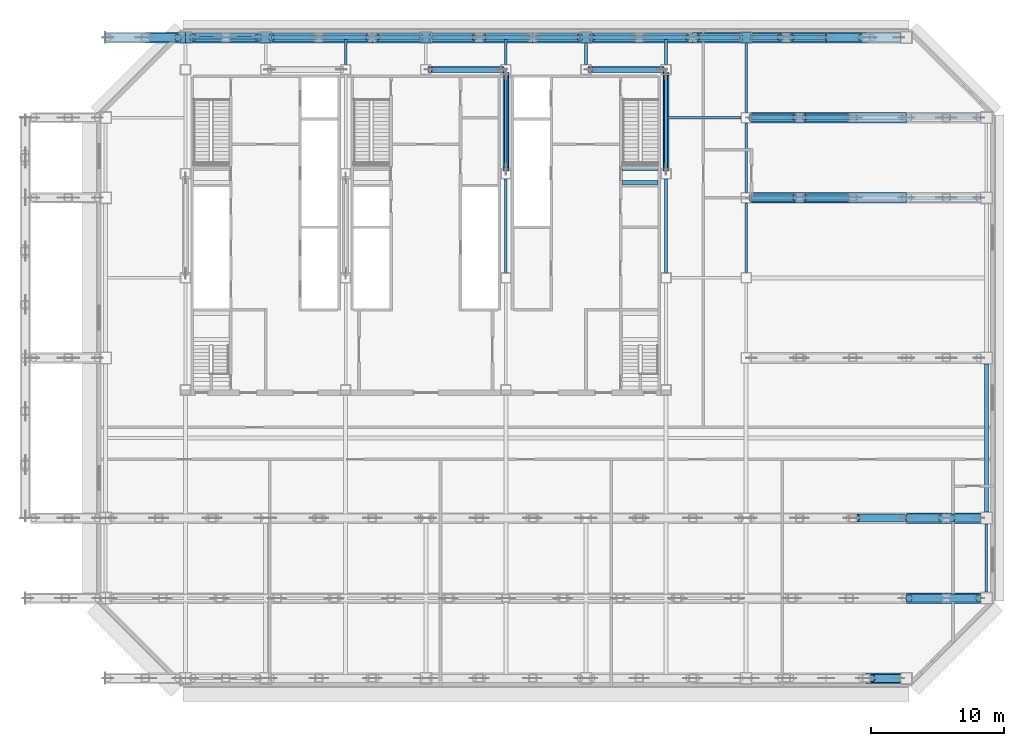
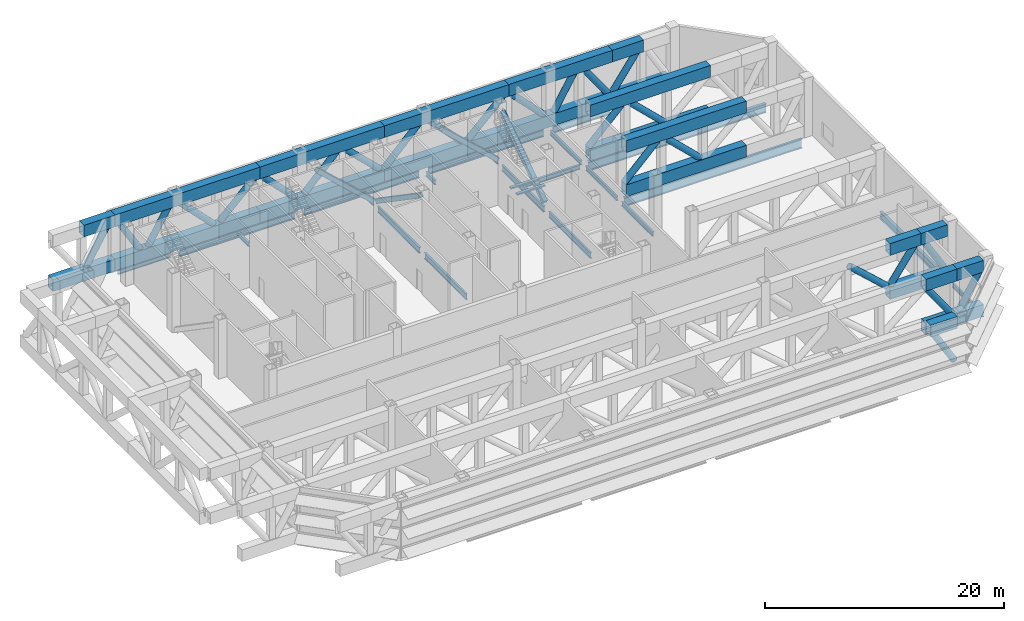
# One storey, part 4 of 17: 46 beams, 29 members.
"""IFC4 building model written with IfcOpenShell, lengths in metres."""

from ifc_helpers import new_model, si_unit, direction, frame, origin, origin_2d, place, context, subcontext, project, spatial, rectangle, hollow_rectangle, hollow_circle, i_section, extrude, material, material_profile, profile_set, type_object, element, save


model = new_model("IFC4")

# Units and contexts
model_context = context("Model", 3, precision=1e-05, world=origin(), true_north=direction((0.0, 1.0)))
body_context = subcontext(model_context, "Body", "Model", "MODEL_VIEW")
ifc_project = project(units=[si_unit("LENGTHUNIT", "METRE"), si_unit("AREAUNIT", "SQUARE_METRE"), si_unit("VOLUMEUNIT", "CUBIC_METRE"), si_unit("PLANEANGLEUNIT", "RADIAN"), si_unit("MASSUNIT", "GRAM", prefix="KILO")], contexts=[model_context])

# Site, building, storey
site_placement = place(None, origin())
site = spatial("IfcSite", under=ifc_project, at=site_placement, CompositionType="ELEMENT")
building_placement = place(site_placement, origin())
building = spatial("IfcBuilding", under=site, at=building_placement, Name="Sorahane Residences", CompositionType="ELEMENT")
storey_placement = place(building_placement, frame((0.0, 0.0, 90.199951171875)))
storey = spatial("IfcBuildingStorey", under=building, at=storey_placement, Name="L19", CompositionType="ELEMENT", Elevation=90.199951171875)

# Members
ifc_material_1 = material(Name="Steel Q355B", Category="steel")
ifc_material_profile_1 = material_profile(ifc_material_1, hollow_rectangle(XDim=0.449951171875, YDim=0.449951171875, WallThickness=0.02197265625, InnerFilletRadius=0.010986328125, OuterFilletRadius=0.032958984375, at=origin_2d()), Name="RHS 450x450x22")
ifc_profile_set_1 = profile_set([ifc_material_profile_1], Name="Steel Q355B")
member_type_1 = type_object("IfcMemberType", Name="Core brace RHS 450x450x22 Q355B", PredefinedType="BRACE", material=ifc_profile_set_1)
for number, where, z_axis, x_axis, name in (
    (1, (29.691650390625, 45.60009765625, 0.140625), (-0.734817498487, 0.0, 0.678264877402), (0.0, -1.0, 0.0), "Core brace L19 y45.6-4"),
    (2, (41.691650390625, 45.60009765625, 0.140625), (-0.734817498487, 0.0, 0.678264877402), (0.0, -1.0, 0.0), "Core brace L19 y45.6-6"),
):
    element("IfcMember", number, at=place(storey_placement, frame(where, z_axis=z_axis, x_axis=x_axis)), inside=storey, type_object=member_type_1, Name=name, PredefinedType="BRACE", context=body_context, shape_type="SweptSolid", body=[
        extrude(hollow_rectangle(XDim=0.449951171875, YDim=0.449951171875, WallThickness=0.02197265625, InnerFilletRadius=0.010986328125, OuterFilletRadius=0.032958984375, at=origin_2d()), origin(), (0.0, 0.0, 1.0), 7.325927734375),
    ])
for number, where, z_axis, x_axis, name in (
    (3, (42.0, 38.12353515625, 0.172607421875), (0.0, 0.824729602087, 0.565527261449), (-1.0, 0.0, 0.0), "Core brace L19 x42-3"),
    (4, (30.0, 45.2763671875, 0.172607421875), (0.0, -0.824729602087, 0.565527261449), (1.0, 0.0, 0.0), "Core brace L19 x30-2"),
):
    element("IfcMember", number, at=place(storey_placement, frame(where, z_axis=z_axis, x_axis=x_axis)), inside=storey, type_object=member_type_1, Name=name, PredefinedType="BRACE", context=body_context, shape_type="SweptSolid", body=[
        extrude(hollow_rectangle(XDim=0.449951171875, YDim=0.449951171875, WallThickness=0.02197265625, InnerFilletRadius=0.010986328125, OuterFilletRadius=0.032958984375, at=origin_2d()), origin(), (0.0, 0.0, 1.0), 8.6728515625),
    ])

# Beams
ifc_material_2 = material(Name="Concrete C40", Category="concrete")
ifc_material_profile_2 = material_profile(ifc_material_2, rectangle(XDim=0.300048828125, YDim=0.139892578125, at=origin_2d()), Name="300x140")
ifc_profile_set_2 = profile_set([ifc_material_profile_2], Name="Concrete C40")
beam_type_1 = type_object("IfcBeamType", Name="RC landing beam 300 x 140 Concrete C40", PredefinedType="BEAM", material=ifc_profile_set_2)
for number, where, z_axis, x_axis, name in (
    (5, (38.699951171875, 37.14990234375, 2.72998046875), (1.0, 0.0, 0.0), (0.0, 1.0, 0.0), "Landing beam"),
    (6, (38.699951171875, 38.18994140625, 2.72998046875), (1.0, 0.0, 0.0), (0.0, 1.0, 0.0), "Landing beam"),
):
    element("IfcBeam", number, at=place(storey_placement, frame(where, z_axis=z_axis, x_axis=x_axis)), inside=storey, type_object=beam_type_1, Name=name, PredefinedType="BEAM", context=body_context, shape_type="SweptSolid", body=[
        extrude(rectangle(XDim=0.300048828125, YDim=0.139892578125, at=origin_2d()), origin(), (0.0, 0.0, 1.0), 2.699951171875),
    ])
ifc_material_3 = material(Name="Steel Q355B", Category="steel")
ifc_material_profile_3 = material_profile(ifc_material_3, i_section(OverallWidth=0.199951171875, OverallDepth=0.449951171875, WebThickness=0.009033203125, FlangeThickness=0.013916015625, FilletRadius=0.02001953125, at=origin_2d()), Name="HN 450x200x9x14")
ifc_profile_set_3 = profile_set([ifc_material_profile_3], Name="Steel Q355B")
beam_type_2 = type_object("IfcBeamType", Name="Steel floor beam HN 450x200x9x14 Q355B", PredefinedType="BEAM", material=ifc_profile_set_3)
beam_1_placement = place(storey_placement, frame((6.449951171875, 48.0, -0.52490234375), z_axis=(1.0, 0.0, 0.0), x_axis=(0.0, 1.0, 0.0)))
element("IfcBeam", 7, at=beam_1_placement, inside=storey, type_object=beam_type_2, Name="Beam L19 012", PredefinedType="BEAM", context=body_context, shape_type="SweptSolid", body=[
    extrude(i_section(OverallWidth=0.199951171875, OverallDepth=0.449951171875, WebThickness=0.009033203125, FlangeThickness=0.013916015625, FilletRadius=0.02001953125, at=origin_2d()), origin(), (0.0, 0.0, 1.0), 5.10009765625),
])
for number, where, z_axis, x_axis, name in (
    (8, (18.0, 46.0, -0.52490234375), (0.0, 1.0, 0.0), (-1.0, 0.0, 0.0), "Beam L19 034"),
    (9, (30.0, 46.0, -0.52490234375), (0.0, 1.0, 0.0), (-1.0, 0.0, 0.0), "Beam L19 042"),
):
    element("IfcBeam", number, at=place(storey_placement, frame(where, z_axis=z_axis, x_axis=x_axis)), inside=storey, type_object=beam_type_2, Name=name, PredefinedType="BEAM", context=body_context, shape_type="SweptSolid", body=[
        extrude(i_section(OverallWidth=0.199951171875, OverallDepth=0.449951171875, WebThickness=0.009033203125, FlangeThickness=0.013916015625, FilletRadius=0.02001953125, at=origin_2d()), origin(), (0.0, 0.0, 1.0), 1.85009765625),
    ])
beam_2_placement = place(storey_placement, frame((36.0, 46.0, -0.52490234375), z_axis=(0.0, 1.0, 0.0), x_axis=(-1.0, 0.0, 0.0)))
element("IfcBeam", 10, at=beam_2_placement, inside=storey, type_object=beam_type_2, Name="Beam L19 044", PredefinedType="BEAM", context=body_context, shape_type="SweptSolid", body=[
    extrude(i_section(OverallWidth=0.199951171875, OverallDepth=0.449951171875, WebThickness=0.009033203125, FlangeThickness=0.013916015625, FilletRadius=0.02001953125, at=origin_2d()), origin(), (0.0, 0.0, 1.0), 1.550048828125),
])
beam_3_placement = place(storey_placement, frame((42.0, 46.0, -0.52490234375), z_axis=(0.0, 1.0, 0.0), x_axis=(-1.0, 0.0, 0.0)))
element("IfcBeam", 11, at=beam_3_placement, inside=storey, type_object=beam_type_2, Name="Beam L19 050", PredefinedType="BEAM", context=body_context, shape_type="SweptSolid", body=[
    extrude(i_section(OverallWidth=0.199951171875, OverallDepth=0.449951171875, WebThickness=0.009033203125, FlangeThickness=0.013916015625, FilletRadius=0.02001953125, at=origin_2d()), origin(), (0.0, 0.0, 1.0), 1.85009765625),
])
for number, where, z_axis, x_axis, name in (
    (12, (48.0, 30.39990234375, -0.52490234375), (0.0, 1.0, 0.0), (-1.0, 0.0, 0.0), "Beam L19 054"),
    (13, (48.0, 36.39990234375, -0.52490234375), (0.0, 1.0, 0.0), (-1.0, 0.0, 0.0), "Beam L19 055"),
):
    element("IfcBeam", number, at=place(storey_placement, frame(where, z_axis=z_axis, x_axis=x_axis)), inside=storey, type_object=beam_type_2, Name=name, PredefinedType="BEAM", context=body_context, shape_type="SweptSolid", body=[
        extrude(i_section(OverallWidth=0.199951171875, OverallDepth=0.449951171875, WebThickness=0.009033203125, FlangeThickness=0.013916015625, FilletRadius=0.02001953125, at=origin_2d()), origin(), (0.0, 0.0, 1.0), 5.2001953125),
    ])
beam_4_placement = place(storey_placement, frame((48.0, 42.39990234375, -0.52490234375), z_axis=(0.0, 1.0, 0.0), x_axis=(-1.0, 0.0, 0.0)))
element("IfcBeam", 14, at=beam_4_placement, inside=storey, type_object=beam_type_2, Name="Beam L19 056", PredefinedType="BEAM", context=body_context, shape_type="SweptSolid", body=[
    extrude(i_section(OverallWidth=0.199951171875, OverallDepth=0.449951171875, WebThickness=0.009033203125, FlangeThickness=0.013916015625, FilletRadius=0.02001953125, at=origin_2d()), origin(), (0.0, 0.0, 1.0), 5.150146484375),
])
beam_5_placement = place(storey_placement, frame((66.0, 6.449951171875, -0.52490234375), z_axis=(0.0, 1.0, 0.0), x_axis=(-1.0, 0.0, 0.0)))
element("IfcBeam", 15, at=beam_5_placement, inside=storey, type_object=beam_type_2, Name="Beam L19 057", PredefinedType="BEAM", context=body_context, shape_type="SweptSolid", body=[
    extrude(i_section(OverallWidth=0.199951171875, OverallDepth=0.449951171875, WebThickness=0.009033203125, FlangeThickness=0.013916015625, FilletRadius=0.02001953125, at=origin_2d()), origin(), (0.0, 0.0, 1.0), 5.10009765625),
])
beam_6_placement = place(storey_placement, frame((42.10009765625, 42.0, -0.52490234375), z_axis=(1.0, 0.0, 0.0), x_axis=(0.0, 1.0, 0.0)))
element("IfcBeam", 16, at=beam_6_placement, inside=storey, type_object=beam_type_2, Name="Beam L19 080", PredefinedType="BEAM", context=body_context, shape_type="SweptSolid", body=[
    extrude(i_section(OverallWidth=0.199951171875, OverallDepth=0.449951171875, WebThickness=0.009033203125, FlangeThickness=0.013916015625, FilletRadius=0.02001953125, at=origin_2d()), origin(), (0.0, 0.0, 1.0), 5.5),
])
ifc_material_4 = material(Name="Steel Q355B", Category="steel")
ifc_material_profile_4 = material_profile(ifc_material_4, i_section(OverallWidth=0.199951171875, OverallDepth=0.60009765625, WebThickness=0.010986328125, FlangeThickness=0.01708984375, FilletRadius=0.02392578125, at=origin_2d()), Name="HN 600x200x11x17")
ifc_profile_set_4 = profile_set([ifc_material_profile_4], Name="Steel Q355B")
beam_type_3 = type_object("IfcBeamType", Name="Steel floor beam HN 600x200x11x17 Q355B", PredefinedType="BEAM", material=ifc_profile_set_4)
for number, where, z_axis, x_axis, name in (
    (17, (30.0, 30.39990234375, -0.599853515625), (0.0, 1.0, 0.0), (-1.0, 0.0, 0.0), "Beam L19 040"),
    (18, (30.0, 38.199951171875, -0.599853515625), (0.0, 1.0, 0.0), (-1.0, 0.0, 0.0), "Beam L19 041"),
    (19, (42.0, 30.39990234375, -0.599853515625), (0.0, 1.0, 0.0), (-1.0, 0.0, 0.0), "Beam L19 048"),
    (20, (42.0, 38.199951171875, -0.599853515625), (0.0, 1.0, 0.0), (-1.0, 0.0, 0.0), "Beam L19 049"),
):
    element("IfcBeam", number, at=place(storey_placement, frame(where, z_axis=z_axis, x_axis=x_axis)), inside=storey, type_object=beam_type_3, Name=name, PredefinedType="BEAM", context=body_context, shape_type="SweptSolid", body=[
        extrude(i_section(OverallWidth=0.199951171875, OverallDepth=0.60009765625, WebThickness=0.010986328125, FlangeThickness=0.01708984375, FilletRadius=0.02392578125, at=origin_2d()), origin(), (0.0, 0.0, 1.0), 7.0),
    ])
ifc_material_5 = material(Name="Steel Q355B", Category="steel")
ifc_material_profile_5 = material_profile(ifc_material_5, i_section(OverallWidth=0.300048828125, OverallDepth=0.699951171875, WebThickness=0.012939453125, FlangeThickness=0.02392578125, FilletRadius=0.028076171875, at=origin_2d()), Name="HN 700x300x13x24")
ifc_profile_set_5 = profile_set([ifc_material_profile_5], Name="Steel Q355B")
beam_type_4 = type_object("IfcBeamType", Name="Steel floor beam HN 700x300x13x24 Q355B", PredefinedType="BEAM", material=ifc_profile_set_5)
for number, where, z_axis, x_axis, name in (
    (21, (12.449951171875, 48.0, -0.64990234375), (1.0, 0.0, 0.0), (0.0, 1.0, 0.0), "Beam L19 013"),
    (22, (24.449951171875, 48.0, -0.64990234375), (1.0, 0.0, 0.0), (0.0, 1.0, 0.0), "Beam L19 014"),
    (23, (36.449951171875, 48.0, -0.64990234375), (1.0, 0.0, 0.0), (0.0, 1.0, 0.0), "Beam L19 015"),
):
    element("IfcBeam", number, at=place(storey_placement, frame(where, z_axis=z_axis, x_axis=x_axis)), inside=storey, type_object=beam_type_4, Name=name, PredefinedType="BEAM", context=body_context, shape_type="SweptSolid", body=[
        extrude(i_section(OverallWidth=0.300048828125, OverallDepth=0.699951171875, WebThickness=0.012939453125, FlangeThickness=0.02392578125, FilletRadius=0.028076171875, at=origin_2d()), origin(), (0.0, 0.0, 1.0), 11.10009765625),
    ])
beam_7_placement = place(storey_placement, frame((48.449951171875, 48.0, -0.64990234375), z_axis=(1.0, 0.0, 0.0), x_axis=(0.0, 1.0, 0.0)))
element("IfcBeam", 24, at=beam_7_placement, inside=storey, type_object=beam_type_4, Name="Beam L19 016", PredefinedType="BEAM", context=body_context, shape_type="SweptSolid", body=[
    extrude(i_section(OverallWidth=0.300048828125, OverallDepth=0.699951171875, WebThickness=0.012939453125, FlangeThickness=0.02392578125, FilletRadius=0.028076171875, at=origin_2d()), origin(), (0.0, 0.0, 1.0), 5.550048828125),
])
beam_8_placement = place(storey_placement, frame((66.0, 12.449951171875, -0.64990234375), z_axis=(0.0, 1.0, 0.0), x_axis=(-1.0, 0.0, 0.0)))
element("IfcBeam", 25, at=beam_8_placement, inside=storey, type_object=beam_type_4, Name="Beam L19 058", PredefinedType="BEAM", context=body_context, shape_type="SweptSolid", body=[
    extrude(i_section(OverallWidth=0.300048828125, OverallDepth=0.699951171875, WebThickness=0.012939453125, FlangeThickness=0.02392578125, FilletRadius=0.028076171875, at=origin_2d()), origin(), (0.0, 0.0, 1.0), 11.10009765625),
])
ifc_material_6 = material(Name="Steel Q355B", Category="steel")
ifc_material_profile_6 = material_profile(ifc_material_6, i_section(OverallWidth=0.300048828125, OverallDepth=0.89990234375, WebThickness=0.01611328125, FlangeThickness=0.028076171875, FilletRadius=0.028076171875, at=origin_2d()), Name="HN 900x300x16x28")
ifc_profile_set_6 = profile_set([ifc_material_profile_6], Name="Steel Q355B")
beam_type_5 = type_object("IfcBeamType", Name="Steel floor beam HN 900x300x16x28 Q355B", PredefinedType="BEAM", material=ifc_profile_set_6)
for number, where, z_axis, x_axis, name in (
    (26, (48.39990234375, 36.0, -0.75), (1.0, 0.0, 0.0), (0.0, 1.0, 0.0), "Beam L19 011"),
    (27, (48.39990234375, 42.0, -0.75), (1.0, 0.0, 0.0), (0.0, 1.0, 0.0), "Beam L19 081"),
):
    element("IfcBeam", number, at=place(storey_placement, frame(where, z_axis=z_axis, x_axis=x_axis)), inside=storey, type_object=beam_type_5, Name=name, PredefinedType="BEAM", context=body_context, shape_type="SweptSolid", body=[
        extrude(i_section(OverallWidth=0.300048828125, OverallDepth=0.89990234375, WebThickness=0.01611328125, FlangeThickness=0.028076171875, FilletRadius=0.028076171875, at=origin_2d()), origin(), (0.0, 0.0, 1.0), 17.150146484375),
    ])
ifc_material_7 = material(Name="Steel Q420GJ", Category="steel")
ifc_material_profile_7 = material_profile(ifc_material_7, hollow_rectangle(XDim=0.800048828125, YDim=1.199951171875, WallThickness=0.06005859375, at=origin_2d()), Name="BOX 1200x800x60")
ifc_profile_set_7 = profile_set([ifc_material_profile_7], Name="Steel Q420GJ")
beam_type_6 = type_object("IfcBeamType", Name="Truss chord BOX 1200x800x60 Q420GJ", PredefinedType="BEAM", material=ifc_profile_set_7)
beam_9_placement = place(storey_placement, frame((57.0, 0.0, 5.10009765625), z_axis=(1.0, 0.0, 0.0), x_axis=(0.0, 1.0, 0.0)))
element("IfcBeam", 28, at=beam_9_placement, inside=storey, type_object=beam_type_6, Name="Truss chord L19", PredefinedType="BEAM", context=body_context, shape_type="SweptSolid", body=[
    extrude(hollow_rectangle(XDim=0.800048828125, YDim=1.199951171875, WallThickness=0.06005859375, at=origin_2d()), origin(), (0.0, 0.0, 1.0), 2.550048828125),
])
beam_10_placement = place(storey_placement, frame((60.0, 6.0, 0.60009765625), z_axis=(1.0, 0.0, 0.0), x_axis=(0.0, 1.0, 0.0)))
element("IfcBeam", 29, at=beam_10_placement, inside=storey, type_object=beam_type_6, Name="Truss chord L19", PredefinedType="BEAM", context=body_context, shape_type="SweptSolid", body=[
    extrude(hollow_rectangle(XDim=0.800048828125, YDim=1.199951171875, WallThickness=0.06005859375, at=origin_2d()), origin(), (0.0, 0.0, 1.0), 5.550048828125),
])
beam_11_placement = place(storey_placement, frame((60.0, 6.0, 5.10009765625), z_axis=(1.0, 0.0, 0.0), x_axis=(0.0, 1.0, 0.0)))
element("IfcBeam", 30, at=beam_11_placement, inside=storey, type_object=beam_type_6, Name="Truss chord L19", PredefinedType="BEAM", context=body_context, shape_type="SweptSolid", body=[
    extrude(hollow_rectangle(XDim=0.800048828125, YDim=1.199951171875, WallThickness=0.06005859375, at=origin_2d()), origin(), (0.0, 0.0, 1.0), 3.0),
])
beam_12_placement = place(storey_placement, frame((63.0, 6.0, 5.10009765625), z_axis=(1.0, 0.0, 0.0), x_axis=(0.0, 1.0, 0.0)))
element("IfcBeam", 31, at=beam_12_placement, inside=storey, type_object=beam_type_6, Name="Truss chord L19", PredefinedType="BEAM", context=body_context, shape_type="SweptSolid", body=[
    extrude(hollow_rectangle(XDim=0.800048828125, YDim=1.199951171875, WallThickness=0.06005859375, at=origin_2d()), origin(), (0.0, 0.0, 1.0), 2.550048828125),
])
beam_13_placement = place(storey_placement, frame((60.0, 12.0, 0.60009765625), z_axis=(1.0, 0.0, 0.0), x_axis=(0.0, 1.0, 0.0)))
element("IfcBeam", 32, at=beam_13_placement, inside=storey, type_object=beam_type_6, Name="Truss chord L19", PredefinedType="BEAM", context=body_context, shape_type="SweptSolid", body=[
    extrude(hollow_rectangle(XDim=0.800048828125, YDim=1.199951171875, WallThickness=0.06005859375, at=origin_2d()), origin(), (0.0, 0.0, 1.0), 5.550048828125),
])
beam_14_placement = place(storey_placement, frame((60.0, 12.0, 5.10009765625), z_axis=(1.0, 0.0, 0.0), x_axis=(0.0, 1.0, 0.0)))
element("IfcBeam", 33, at=beam_14_placement, inside=storey, type_object=beam_type_6, Name="Truss chord L19", PredefinedType="BEAM", context=body_context, shape_type="SweptSolid", body=[
    extrude(hollow_rectangle(XDim=0.800048828125, YDim=1.199951171875, WallThickness=0.06005859375, at=origin_2d()), origin(), (0.0, 0.0, 1.0), 3.0),
])
beam_15_placement = place(storey_placement, frame((63.0, 12.0, 5.10009765625), z_axis=(1.0, 0.0, 0.0), x_axis=(0.0, 1.0, 0.0)))
element("IfcBeam", 34, at=beam_15_placement, inside=storey, type_object=beam_type_6, Name="Truss chord L19", PredefinedType="BEAM", context=body_context, shape_type="SweptSolid", body=[
    extrude(hollow_rectangle(XDim=0.800048828125, YDim=1.199951171875, WallThickness=0.06005859375, at=origin_2d()), origin(), (0.0, 0.0, 1.0), 2.550048828125),
])
for number, where, z_axis, x_axis, name in (
    (35, (48.39990234375, 36.0, 0.60009765625), (1.0, 0.0, 0.0), (0.0, 1.0, 0.0), "Truss chord L19"),
    (36, (48.39990234375, 36.0, 5.10009765625), (1.0, 0.0, 0.0), (0.0, 1.0, 0.0), "Truss chord L19"),
    (37, (48.39990234375, 42.0, 0.60009765625), (1.0, 0.0, 0.0), (0.0, 1.0, 0.0), "Truss chord L19"),
    (38, (48.39990234375, 42.0, 5.10009765625), (1.0, 0.0, 0.0), (0.0, 1.0, 0.0), "Truss chord L19"),
):
    element("IfcBeam", number, at=place(storey_placement, frame(where, z_axis=z_axis, x_axis=x_axis)), inside=storey, type_object=beam_type_6, Name=name, PredefinedType="BEAM", context=body_context, shape_type="SweptSolid", body=[
        extrude(hollow_rectangle(XDim=0.800048828125, YDim=1.199951171875, WallThickness=0.06005859375, at=origin_2d()), origin(), (0.0, 0.0, 1.0), 11.60009765625),
    ])
beam_16_placement = place(storey_placement, frame((0.0, 48.0, 0.60009765625), z_axis=(1.0, 0.0, 0.0), x_axis=(0.0, 1.0, 0.0)))
element("IfcBeam", 39, at=beam_16_placement, inside=storey, type_object=beam_type_6, Name="Truss chord L19", PredefinedType="BEAM", context=body_context, shape_type="SweptSolid", body=[
    extrude(hollow_rectangle(XDim=0.800048828125, YDim=1.199951171875, WallThickness=0.06005859375, at=origin_2d()), origin(), (0.0, 0.0, 1.0), 6.0),
])
beam_17_placement = place(storey_placement, frame((6.0, 48.0, 0.60009765625), z_axis=(1.0, 0.0, 0.0), x_axis=(0.0, 1.0, 0.0)))
element("IfcBeam", 40, at=beam_17_placement, inside=storey, type_object=beam_type_6, Name="Truss chord L19", PredefinedType="BEAM", context=body_context, shape_type="SweptSolid", body=[
    extrude(hollow_rectangle(XDim=0.800048828125, YDim=1.199951171875, WallThickness=0.06005859375, at=origin_2d()), origin(), (0.0, 0.0, 1.0), 14.0),
])
for number, where, z_axis, x_axis, name in (
    (41, (20.0, 48.0, 0.60009765625), (1.0, 0.0, 0.0), (0.0, 1.0, 0.0), "Truss chord L19"),
    (42, (32.0, 48.0, 0.60009765625), (1.0, 0.0, 0.0), (0.0, 1.0, 0.0), "Truss chord L19"),
):
    element("IfcBeam", number, at=place(storey_placement, frame(where, z_axis=z_axis, x_axis=x_axis)), inside=storey, type_object=beam_type_6, Name=name, PredefinedType="BEAM", context=body_context, shape_type="SweptSolid", body=[
        extrude(hollow_rectangle(XDim=0.800048828125, YDim=1.199951171875, WallThickness=0.06005859375, at=origin_2d()), origin(), (0.0, 0.0, 1.0), 12.0),
    ])
beam_18_placement = place(storey_placement, frame((44.0, 48.0, 0.60009765625), z_axis=(1.0, 0.0, 0.0), x_axis=(0.0, 1.0, 0.0)))
element("IfcBeam", 43, at=beam_18_placement, inside=storey, type_object=beam_type_6, Name="Truss chord L19", PredefinedType="BEAM", context=body_context, shape_type="SweptSolid", body=[
    extrude(hollow_rectangle(XDim=0.800048828125, YDim=1.199951171875, WallThickness=0.06005859375, at=origin_2d()), origin(), (0.0, 0.0, 1.0), 10.0),
])
beam_19_placement = place(storey_placement, frame((54.0, 48.0, 0.60009765625), z_axis=(1.0, 0.0, 0.0), x_axis=(0.0, 1.0, 0.0)))
element("IfcBeam", 44, at=beam_19_placement, inside=storey, type_object=beam_type_6, Name="Truss chord L19", PredefinedType="BEAM", context=body_context, shape_type="SweptSolid", body=[
    extrude(hollow_rectangle(XDim=0.800048828125, YDim=1.199951171875, WallThickness=0.06005859375, at=origin_2d()), origin(), (0.0, 0.0, 1.0), 5.550048828125),
])
beam_20_placement = place(storey_placement, frame((3.0, 48.0, 5.10009765625), z_axis=(1.0, 0.0, 0.0), x_axis=(0.0, 1.0, 0.0)))
element("IfcBeam", 45, at=beam_20_placement, inside=storey, type_object=beam_type_6, Name="Truss chord L19", PredefinedType="BEAM", context=body_context, shape_type="SweptSolid", body=[
    extrude(hollow_rectangle(XDim=0.800048828125, YDim=1.199951171875, WallThickness=0.06005859375, at=origin_2d()), origin(), (0.0, 0.0, 1.0), 3.0),
])
beam_21_placement = place(storey_placement, frame((6.0, 48.0, 5.10009765625), z_axis=(1.0, 0.0, 0.0), x_axis=(0.0, 1.0, 0.0)))
element("IfcBeam", 46, at=beam_21_placement, inside=storey, type_object=beam_type_6, Name="Truss chord L19", PredefinedType="BEAM", context=body_context, shape_type="SweptSolid", body=[
    extrude(hollow_rectangle(XDim=0.800048828125, YDim=1.199951171875, WallThickness=0.06005859375, at=origin_2d()), origin(), (0.0, 0.0, 1.0), 14.0),
])
for number, where, z_axis, x_axis, name in (
    (47, (20.0, 48.0, 5.10009765625), (1.0, 0.0, 0.0), (0.0, 1.0, 0.0), "Truss chord L19"),
    (48, (32.0, 48.0, 5.10009765625), (1.0, 0.0, 0.0), (0.0, 1.0, 0.0), "Truss chord L19"),
):
    element("IfcBeam", number, at=place(storey_placement, frame(where, z_axis=z_axis, x_axis=x_axis)), inside=storey, type_object=beam_type_6, Name=name, PredefinedType="BEAM", context=body_context, shape_type="SweptSolid", body=[
        extrude(hollow_rectangle(XDim=0.800048828125, YDim=1.199951171875, WallThickness=0.06005859375, at=origin_2d()), origin(), (0.0, 0.0, 1.0), 12.0),
    ])
beam_22_placement = place(storey_placement, frame((44.0, 48.0, 5.10009765625), z_axis=(1.0, 0.0, 0.0), x_axis=(0.0, 1.0, 0.0)))
element("IfcBeam", 49, at=beam_22_placement, inside=storey, type_object=beam_type_6, Name="Truss chord L19", PredefinedType="BEAM", context=body_context, shape_type="SweptSolid", body=[
    extrude(hollow_rectangle(XDim=0.800048828125, YDim=1.199951171875, WallThickness=0.06005859375, at=origin_2d()), origin(), (0.0, 0.0, 1.0), 10.0),
])
beam_23_placement = place(storey_placement, frame((54.0, 48.0, 5.10009765625), z_axis=(1.0, 0.0, 0.0), x_axis=(0.0, 1.0, 0.0)))
element("IfcBeam", 50, at=beam_23_placement, inside=storey, type_object=beam_type_6, Name="Truss chord L19", PredefinedType="BEAM", context=body_context, shape_type="SweptSolid", body=[
    extrude(hollow_rectangle(XDim=0.800048828125, YDim=1.199951171875, WallThickness=0.06005859375, at=origin_2d()), origin(), (0.0, 0.0, 1.0), 3.0),
])

# Members
ifc_material_8 = material(Name="Steel Q420GJ", Category="steel")
ifc_material_profile_8 = material_profile(ifc_material_8, hollow_circle(Radius=0.300048828125, WallThickness=0.031982421875, at=origin_2d()), Name="CHS 600x32")
ifc_profile_set_8 = profile_set([ifc_material_profile_8], Name="Steel Q420GJ")
member_type_2 = type_object("IfcMemberType", Name="Truss diagonal CHS 600x32 Q420GJ", PredefinedType="BRACE", material=ifc_profile_set_8)
member_1_placement = place(storey_placement, frame((57.397705078125, 0.0, 4.58447265625), z_axis=(0.509571647597, 0.0, -0.860428228248), x_axis=(0.0, 1.0, 0.0)))
element("IfcMember", 51, at=member_1_placement, inside=storey, type_object=member_type_2, Name="Truss diagonal L19", PredefinedType="BRACE", context=body_context, shape_type="SweptSolid", body=[
    extrude(hollow_circle(Radius=0.300048828125, WallThickness=0.031982421875, at=origin_2d()), origin(), (0.0, 0.0, 1.0), 4.03173828125),
])
member_2_placement = place(storey_placement, frame((60.192626953125, 6.0, 4.591796875), z_axis=(0.577579121022, 0.0, -0.816334710128), x_axis=(0.0, 1.0, 0.0)))
element("IfcMember", 52, at=member_2_placement, inside=storey, type_object=member_type_2, Name="Truss diagonal L19", PredefinedType="BRACE", context=body_context, shape_type="SweptSolid", body=[
    extrude(hollow_circle(Radius=0.300048828125, WallThickness=0.031982421875, at=origin_2d()), origin(), (0.0, 0.0, 1.0), 4.26708984375),
])
member_3_placement = place(storey_placement, frame((63.397705078125, 6.0, 1.115478515625), z_axis=(0.509571647597, 0.0, 0.860428228248), x_axis=(0.0, 1.0, 0.0)))
element("IfcMember", 53, at=member_3_placement, inside=storey, type_object=member_type_2, Name="Truss diagonal L19", PredefinedType="BRACE", context=body_context, shape_type="SweptSolid", body=[
    extrude(hollow_circle(Radius=0.300048828125, WallThickness=0.031982421875, at=origin_2d()), origin(), (0.0, 0.0, 1.0), 4.03173828125),
])
member_4_placement = place(storey_placement, frame((56.300048828125, 12.0, 4.46630859375), z_axis=(0.739410635701, 0.0, -0.673254715403), x_axis=(0.0, 1.0, 0.0)))
element("IfcMember", 54, at=member_4_placement, inside=storey, type_object=member_type_2, Name="Truss diagonal L19", PredefinedType="BRACE", context=body_context, shape_type="SweptSolid", body=[
    extrude(hollow_circle(Radius=0.300048828125, WallThickness=0.031982421875, at=origin_2d()), origin(), (0.0, 0.0, 1.0), 4.80126953125),
])
member_5_placement = place(storey_placement, frame((60.192626953125, 12.0, 1.1083984375), z_axis=(0.577579121022, 0.0, 0.816334710128), x_axis=(0.0, 1.0, 0.0)))
element("IfcMember", 55, at=member_5_placement, inside=storey, type_object=member_type_2, Name="Truss diagonal L19", PredefinedType="BRACE", context=body_context, shape_type="SweptSolid", body=[
    extrude(hollow_circle(Radius=0.300048828125, WallThickness=0.031982421875, at=origin_2d()), origin(), (0.0, 0.0, 1.0), 4.26708984375),
])
member_6_placement = place(storey_placement, frame((63.397705078125, 12.0, 4.58447265625), z_axis=(0.509571647597, 0.0, -0.860428228248), x_axis=(0.0, 1.0, 0.0)))
element("IfcMember", 56, at=member_6_placement, inside=storey, type_object=member_type_2, Name="Truss diagonal L19", PredefinedType="BRACE", context=body_context, shape_type="SweptSolid", body=[
    extrude(hollow_circle(Radius=0.300048828125, WallThickness=0.031982421875, at=origin_2d()), origin(), (0.0, 0.0, 1.0), 4.03173828125),
])
member_7_placement = place(storey_placement, frame((48.39990234375, 36.0, 1.199951171875), z_axis=(0.707106781187, 0.0, 0.707106781187), x_axis=(0.0, 1.0, 0.0)))
element("IfcMember", 57, at=member_7_placement, inside=storey, type_object=member_type_2, Name="Truss diagonal L19", PredefinedType="BRACE", context=body_context, shape_type="SweptSolid", body=[
    extrude(hollow_circle(Radius=0.300048828125, WallThickness=0.031982421875, at=origin_2d()), origin(), (0.0, 0.0, 1.0), 4.6669921875),
])
member_8_placement = place(storey_placement, frame((52.300048828125, 36.0, 4.48583984375), z_axis=(0.72058444139, 0.0, -0.693367191917), x_axis=(0.0, 1.0, 0.0)))
element("IfcMember", 58, at=member_8_placement, inside=storey, type_object=member_type_2, Name="Truss diagonal L19", PredefinedType="BRACE", context=body_context, shape_type="SweptSolid", body=[
    extrude(hollow_circle(Radius=0.300048828125, WallThickness=0.031982421875, at=origin_2d()), origin(), (0.0, 0.0, 1.0), 4.71826171875),
])
member_9_placement = place(storey_placement, frame((48.39990234375, 42.0, 1.199951171875), z_axis=(0.707106781187, 0.0, 0.707106781187), x_axis=(0.0, 1.0, 0.0)))
element("IfcMember", 59, at=member_9_placement, inside=storey, type_object=member_type_2, Name="Truss diagonal L19", PredefinedType="BRACE", context=body_context, shape_type="SweptSolid", body=[
    extrude(hollow_circle(Radius=0.300048828125, WallThickness=0.031982421875, at=origin_2d()), origin(), (0.0, 0.0, 1.0), 4.6669921875),
])
member_10_placement = place(storey_placement, frame((52.300048828125, 42.0, 4.48583984375), z_axis=(0.72058444139, 0.0, -0.693367191917), x_axis=(0.0, 1.0, 0.0)))
element("IfcMember", 60, at=member_10_placement, inside=storey, type_object=member_type_2, Name="Truss diagonal L19", PredefinedType="BRACE", context=body_context, shape_type="SweptSolid", body=[
    extrude(hollow_circle(Radius=0.300048828125, WallThickness=0.031982421875, at=origin_2d()), origin(), (0.0, 0.0, 1.0), 4.71826171875),
])
for number, where, z_axis, x_axis, name in (
    (61, (3.397705078125, 48.0, 1.115478515625), (0.509571647597, 0.0, 0.860428228248), (0.0, 1.0, 0.0), "Truss diagonal L19"),
    (62, (6.5478515625, 48.0, 4.58447265625), (0.509571647597, 0.0, -0.860428228248), (0.0, 1.0, 0.0), "Truss diagonal L19"),
    (63, (9.397705078125, 48.0, 1.115478515625), (0.509571647597, 0.0, 0.860428228248), (0.0, 1.0, 0.0), "Truss diagonal L19"),
):
    element("IfcMember", number, at=place(storey_placement, frame(where, z_axis=z_axis, x_axis=x_axis)), inside=storey, type_object=member_type_2, Name=name, PredefinedType="BRACE", context=body_context, shape_type="SweptSolid", body=[
        extrude(hollow_circle(Radius=0.300048828125, WallThickness=0.031982421875, at=origin_2d()), origin(), (0.0, 0.0, 1.0), 4.03173828125),
    ])
member_11_placement = place(storey_placement, frame((12.449951171875, 48.0, 4.507568359375), z_axis=(0.700077720458, 0.0, -0.714066653274), x_axis=(0.0, 1.0, 0.0)))
element("IfcMember", 64, at=member_11_placement, inside=storey, type_object=member_type_2, Name="Truss diagonal L19", PredefinedType="BRACE", context=body_context, shape_type="SweptSolid", body=[
    extrude(hollow_circle(Radius=0.300048828125, WallThickness=0.031982421875, at=origin_2d()), origin(), (0.0, 0.0, 1.0), 4.642333984375),
])
member_12_placement = place(storey_placement, frame((16.300048828125, 48.0, 1.21435546875), z_axis=(0.72058444139, 0.0, 0.693367191917), x_axis=(0.0, 1.0, 0.0)))
element("IfcMember", 65, at=member_12_placement, inside=storey, type_object=member_type_2, Name="Truss diagonal L19", PredefinedType="BRACE", context=body_context, shape_type="SweptSolid", body=[
    extrude(hollow_circle(Radius=0.300048828125, WallThickness=0.031982421875, at=origin_2d()), origin(), (0.0, 0.0, 1.0), 4.71826171875),
])
for number, where, z_axis, x_axis, name in (
    (66, (20.300048828125, 48.0, 4.507568359375), (0.700077720458, 0.0, -0.714066653274), (0.0, 1.0, 0.0), "Truss diagonal L19"),
    (67, (24.449951171875, 48.0, 1.192626953125), (0.700077720458, 0.0, 0.714066653274), (0.0, 1.0, 0.0), "Truss diagonal L19"),
):
    element("IfcMember", number, at=place(storey_placement, frame(where, z_axis=z_axis, x_axis=x_axis)), inside=storey, type_object=member_type_2, Name=name, PredefinedType="BRACE", context=body_context, shape_type="SweptSolid", body=[
        extrude(hollow_circle(Radius=0.300048828125, WallThickness=0.031982421875, at=origin_2d()), origin(), (0.0, 0.0, 1.0), 4.642333984375),
    ])
member_13_placement = place(storey_placement, frame((28.300048828125, 48.0, 4.48583984375), z_axis=(0.72058444139, 0.0, -0.693367191917), x_axis=(0.0, 1.0, 0.0)))
element("IfcMember", 68, at=member_13_placement, inside=storey, type_object=member_type_2, Name="Truss diagonal L19", PredefinedType="BRACE", context=body_context, shape_type="SweptSolid", body=[
    extrude(hollow_circle(Radius=0.300048828125, WallThickness=0.031982421875, at=origin_2d()), origin(), (0.0, 0.0, 1.0), 4.71826171875),
])
for number, where, z_axis, x_axis, name in (
    (69, (32.300048828125, 48.0, 1.192626953125), (0.700077720458, 0.0, 0.714066653274), (0.0, 1.0, 0.0), "Truss diagonal L19"),
    (70, (36.449951171875, 48.0, 4.507568359375), (0.700077720458, 0.0, -0.714066653274), (0.0, 1.0, 0.0), "Truss diagonal L19"),
):
    element("IfcMember", number, at=place(storey_placement, frame(where, z_axis=z_axis, x_axis=x_axis)), inside=storey, type_object=member_type_2, Name=name, PredefinedType="BRACE", context=body_context, shape_type="SweptSolid", body=[
        extrude(hollow_circle(Radius=0.300048828125, WallThickness=0.031982421875, at=origin_2d()), origin(), (0.0, 0.0, 1.0), 4.642333984375),
    ])
member_14_placement = place(storey_placement, frame((40.300048828125, 48.0, 1.21435546875), z_axis=(0.72058444139, 0.0, 0.693367191917), x_axis=(0.0, 1.0, 0.0)))
element("IfcMember", 71, at=member_14_placement, inside=storey, type_object=member_type_2, Name="Truss diagonal L19", PredefinedType="BRACE", context=body_context, shape_type="SweptSolid", body=[
    extrude(hollow_circle(Radius=0.300048828125, WallThickness=0.031982421875, at=origin_2d()), origin(), (0.0, 0.0, 1.0), 4.71826171875),
])
member_15_placement = place(storey_placement, frame((44.300048828125, 48.0, 4.507568359375), z_axis=(0.700077720458, 0.0, -0.714066653274), x_axis=(0.0, 1.0, 0.0)))
element("IfcMember", 72, at=member_15_placement, inside=storey, type_object=member_type_2, Name="Truss diagonal L19", PredefinedType="BRACE", context=body_context, shape_type="SweptSolid", body=[
    extrude(hollow_circle(Radius=0.300048828125, WallThickness=0.031982421875, at=origin_2d()), origin(), (0.0, 0.0, 1.0), 4.642333984375),
])
member_16_placement = place(storey_placement, frame((48.5478515625, 48.0, 1.115478515625), z_axis=(0.509571647597, 0.0, 0.860428228248), x_axis=(0.0, 1.0, 0.0)))
element("IfcMember", 73, at=member_16_placement, inside=storey, type_object=member_type_2, Name="Truss diagonal L19", PredefinedType="BRACE", context=body_context, shape_type="SweptSolid", body=[
    extrude(hollow_circle(Radius=0.300048828125, WallThickness=0.031982421875, at=origin_2d()), origin(), (0.0, 0.0, 1.0), 4.03173828125),
])
for number, where, z_axis, x_axis, name in (
    (74, (51.3427734375, 48.0, 4.591796875), (0.577579121022, 0.0, -0.816334710128), (0.0, 1.0, 0.0), "Truss diagonal L19"),
    (75, (54.192626953125, 48.0, 1.1083984375), (0.577579121022, 0.0, 0.816334710128), (0.0, 1.0, 0.0), "Truss diagonal L19"),
):
    element("IfcMember", number, at=place(storey_placement, frame(where, z_axis=z_axis, x_axis=x_axis)), inside=storey, type_object=member_type_2, Name=name, PredefinedType="BRACE", context=body_context, shape_type="SweptSolid", body=[
        extrude(hollow_circle(Radius=0.300048828125, WallThickness=0.031982421875, at=origin_2d()), origin(), (0.0, 0.0, 1.0), 4.26708984375),
    ])

save(model, "model.ifc")
